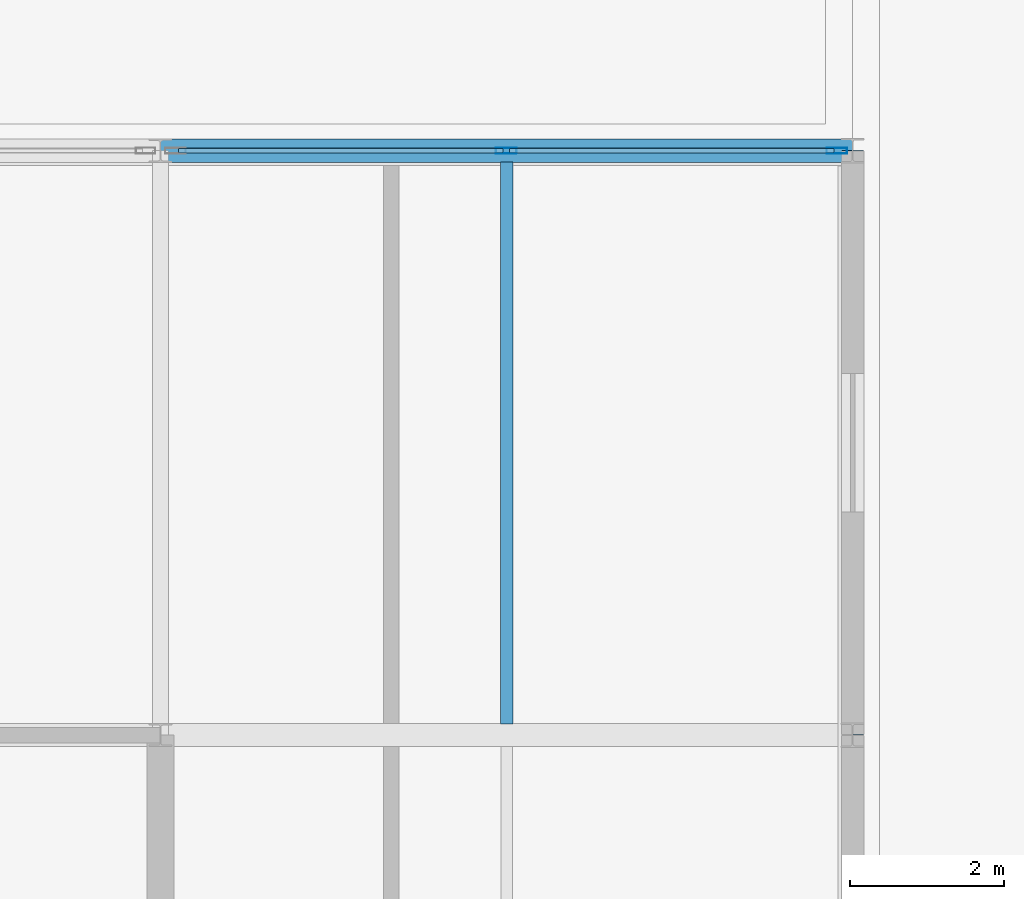
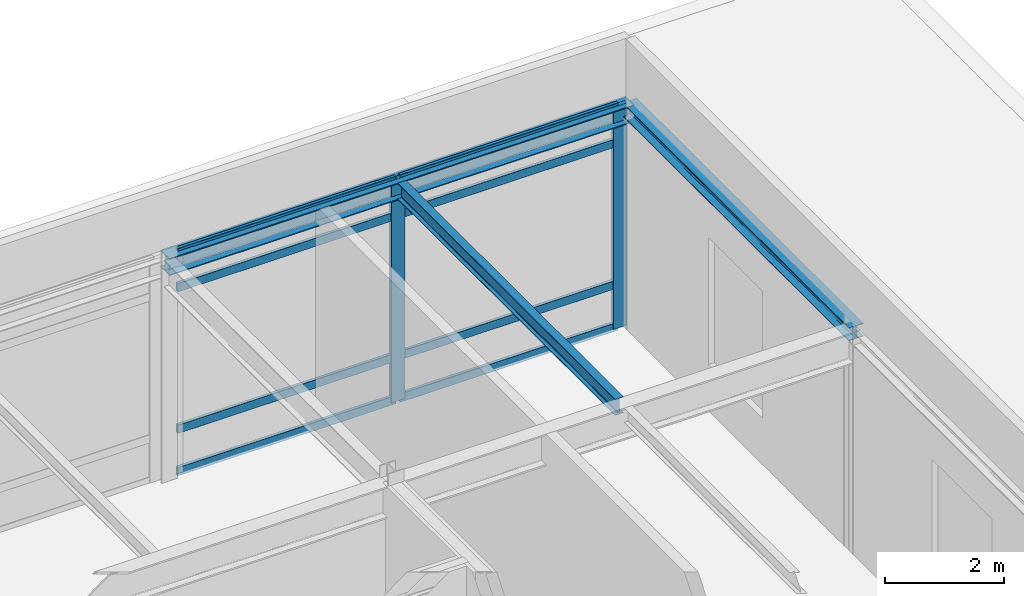
# One storey, part 29 of 43: 10 members, 3 beams, 1 element without a shape of its own.
"""IFC4 building model written with IfcOpenShell, lengths in metres."""

from ifc_helpers import new_model, si_unit, direction, frame, origin, origin_2d, place, context, subcontext, project, spatial, hollow_rectangle, i_section, extrude, material, layer, layer_set, material_profile, profile_set, type_object, element, aggregate, save


model = new_model("IFC4")

# Units and contexts
model_context = context("Model", 3, precision=1e-05, world=origin(), true_north=direction((0.0, 1.0)))
body_context = subcontext(model_context, "Body", "Model", "MODEL_VIEW")
ifc_project = project(units=[si_unit("LENGTHUNIT", "METRE"), si_unit("AREAUNIT", "SQUARE_METRE"), si_unit("VOLUMEUNIT", "CUBIC_METRE"), si_unit("PLANEANGLEUNIT", "RADIAN"), si_unit("MASSUNIT", "GRAM", prefix="KILO")], contexts=[model_context])

# Site, building, storey
site_placement = place(None, origin())
site = spatial("IfcSite", under=ifc_project, at=site_placement, CompositionType="ELEMENT")
building_placement = place(site_placement, origin())
building = spatial("IfcBuilding", under=site, at=building_placement, Name="Shalkamar Park Central Library", CompositionType="ELEMENT")
storey_placement = place(building_placement, frame((0.0, 0.0, 15.60009765625)))
storey = spatial("IfcBuildingStorey", under=building, at=storey_placement, Name="L04", CompositionType="ELEMENT", Elevation=15.60009765625)

# Beam
ifc_material_1 = material(Name="Steel S355", Category="steel")
ifc_material_profile_1 = material_profile(ifc_material_1, i_section(OverallWidth=0.159912109375, OverallDepth=0.330078125, WebThickness=0.007568359375, FlangeThickness=0.011474609375, FilletRadius=0.01806640625, at=origin_2d()), Name="IPE 330")
ifc_profile_set_1 = profile_set([ifc_material_profile_1], Name="Steel S355")
beam_type_1 = type_object("IfcBeamType", Name="Composite Floor Joist IPE330", PredefinedType="JOIST", material=ifc_profile_set_1)
beam_1_placement = place(storey_placement, frame((259.5, 308.548095703125, 4.385009765625), z_axis=(0.0, 1.0, 0.0), x_axis=(-1.0, 0.0, 0.0)))
element("IfcBeam", 1, at=beam_1_placement, inside=storey, type_object=beam_type_1, Name="Composite Joist 18/K-1 (L04)", PredefinedType="JOIST", context=body_context, shape_type="SweptSolid", body=[
    extrude(i_section(OverallWidth=0.159912109375, OverallDepth=0.330078125, WebThickness=0.007568359375, FlangeThickness=0.011474609375, FilletRadius=0.01806640625, at=origin_2d()), origin(), (0.0, 0.0, 1.0), 7.303955078125),
])

# Curtain wall, members
ifc_material_2 = material(Name="Thermally broken aluminium and triple low-e curtain wall", Category="aluminium")
ifc_layer = layer(ifc_material_2, 0.27001953125)
ifc_layer_set = layer_set([ifc_layer], Name="UnitisedCurtainWall_62")
curtain_wall_type = type_object("IfcCurtainWallType", Name="Unitised Curtain Wall 62", PredefinedType="USERDEFINED", material=ifc_layer_set)
curtain_wall_placement = place(storey_placement, origin())
curtain_wall = element("IfcCurtainWall", 2, at=curtain_wall_placement, inside=storey, type_object=curtain_wall_type, Name="Unitised Curtain Wall CW-L04-077", ObjectType="UNITISED CURTAIN WALL", PredefinedType="USERDEFINED")
ifc_material_3 = material(Name="Aluminium 6060-T66", Category="aluminium")
ifc_material_profile_2 = material_profile(ifc_material_3, hollow_rectangle(XDim=0.080078125, YDim=0.27001953125, WallThickness=0.0048828125, InnerFilletRadius=0.0048828125, OuterFilletRadius=0.007568359375, at=origin_2d()), Name="ALU 80x270x5")
ifc_profile_set_2 = profile_set([ifc_material_profile_2], Name="Aluminium 6060-T66")
member_type_1 = type_object("IfcMemberType", Name="Curtain Wall Mullion ALU80x270", PredefinedType="MULLION", material=ifc_profile_set_2)
member_1_placement = place(storey_placement, frame((259.4951171875, 316.0, 0.0), z_axis=(0.0, 0.0, 1.0), x_axis=(0.0, 1.0, 0.0)))
member_1 = element("IfcMember", 3, at=member_1_placement, type_object=member_type_1, Name="CW-62 mullion 2", PredefinedType="MULLION", context=body_context, shape_type="SweptSolid", body=[
    extrude(hollow_rectangle(XDim=0.080078125, YDim=0.27001953125, WallThickness=0.0048828125, InnerFilletRadius=0.0048828125, OuterFilletRadius=0.007568359375, at=origin_2d()), origin(), (0.0, 0.0, 1.0), 4.5498046875),
])
member_2_placement = place(storey_placement, frame((263.7958984375, 316.0, 0.0), z_axis=(0.0, 0.0, 1.0), x_axis=(0.0, 1.0, 0.0)))
member_2 = element("IfcMember", 4, at=member_2_placement, type_object=member_type_1, Name="CW-62 mullion 3", PredefinedType="MULLION", context=body_context, shape_type="SweptSolid", body=[
    extrude(hollow_rectangle(XDim=0.080078125, YDim=0.27001953125, WallThickness=0.0048828125, InnerFilletRadius=0.0048828125, OuterFilletRadius=0.007568359375, at=origin_2d()), origin(), (0.0, 0.0, 1.0), 4.5498046875),
])
ifc_material_profile_3 = material_profile(ifc_material_3, hollow_rectangle(XDim=0.06494140625, YDim=0.175048828125, WallThickness=0.00439453125, InnerFilletRadius=0.00439453125, OuterFilletRadius=0.0068359375, at=origin_2d()), Name="ALU 65x175x4.5")
ifc_profile_set_3 = profile_set([ifc_material_profile_3], Name="Aluminium 6060-T66")
member_type_2 = type_object("IfcMemberType", Name="Curtain Wall Transom ALU65x175", PredefinedType="USERDEFINED", material=ifc_profile_set_3)
member_3_placement = place(storey_placement, frame((255.23388671875, 316.0, 0.032470703125), z_axis=(1.0, 0.0, 0.0), x_axis=(0.0, 1.0, 0.0)))
member_3 = element("IfcMember", 5, at=member_3_placement, type_object=member_type_2, Name="CW-62 transom 1.1", ObjectType="TRANSOM", PredefinedType="USERDEFINED", context=body_context, shape_type="SweptSolid", body=[
    extrude(hollow_rectangle(XDim=0.06494140625, YDim=0.175048828125, WallThickness=0.00439453125, InnerFilletRadius=0.00439453125, OuterFilletRadius=0.0068359375, at=origin_2d()), origin(), (0.0, 0.0, 1.0), 4.22119140625),
])
member_4_placement = place(storey_placement, frame((255.23388671875, 316.0, 0.89990234375), z_axis=(1.0, 0.0, 0.0), x_axis=(0.0, 1.0, 0.0)))
member_4 = element("IfcMember", 6, at=member_4_placement, type_object=member_type_2, Name="CW-62 transom 1.2", ObjectType="TRANSOM", PredefinedType="USERDEFINED", context=body_context, shape_type="SweptSolid", body=[
    extrude(hollow_rectangle(XDim=0.06494140625, YDim=0.175048828125, WallThickness=0.00439453125, InnerFilletRadius=0.00439453125, OuterFilletRadius=0.0068359375, at=origin_2d()), origin(), (0.0, 0.0, 1.0), 4.22119140625),
])
member_5_placement = place(storey_placement, frame((255.23388671875, 316.0, 3.7998046875), z_axis=(1.0, 0.0, 0.0), x_axis=(0.0, 1.0, 0.0)))
member_5 = element("IfcMember", 7, at=member_5_placement, type_object=member_type_2, Name="CW-62 transom 1.3", ObjectType="TRANSOM", PredefinedType="USERDEFINED", context=body_context, shape_type="SweptSolid", body=[
    extrude(hollow_rectangle(XDim=0.06494140625, YDim=0.175048828125, WallThickness=0.00439453125, InnerFilletRadius=0.00439453125, OuterFilletRadius=0.0068359375, at=origin_2d()), origin(), (0.0, 0.0, 1.0), 4.22119140625),
])
member_6_placement = place(storey_placement, frame((255.23388671875, 316.0, 4.517333984375), z_axis=(1.0, 0.0, 0.0), x_axis=(0.0, 1.0, 0.0)))
member_6 = element("IfcMember", 8, at=member_6_placement, type_object=member_type_2, Name="CW-62 transom 1.4", ObjectType="TRANSOM", PredefinedType="USERDEFINED", context=body_context, shape_type="SweptSolid", body=[
    extrude(hollow_rectangle(XDim=0.06494140625, YDim=0.175048828125, WallThickness=0.00439453125, InnerFilletRadius=0.00439453125, OuterFilletRadius=0.0068359375, at=origin_2d()), origin(), (0.0, 0.0, 1.0), 4.22119140625),
])
member_7_placement = place(storey_placement, frame((259.534912109375, 316.0, 0.032470703125), z_axis=(1.0, 0.0, 0.0), x_axis=(0.0, 1.0, 0.0)))
member_7 = element("IfcMember", 9, at=member_7_placement, type_object=member_type_2, Name="CW-62 transom 2.1", ObjectType="TRANSOM", PredefinedType="USERDEFINED", context=body_context, shape_type="SweptSolid", body=[
    extrude(hollow_rectangle(XDim=0.06494140625, YDim=0.175048828125, WallThickness=0.00439453125, InnerFilletRadius=0.00439453125, OuterFilletRadius=0.0068359375, at=origin_2d()), origin(), (0.0, 0.0, 1.0), 4.22119140625),
])
member_8_placement = place(storey_placement, frame((259.534912109375, 316.0, 0.89990234375), z_axis=(1.0, 0.0, 0.0), x_axis=(0.0, 1.0, 0.0)))
member_8 = element("IfcMember", 10, at=member_8_placement, type_object=member_type_2, Name="CW-62 transom 2.2", ObjectType="TRANSOM", PredefinedType="USERDEFINED", context=body_context, shape_type="SweptSolid", body=[
    extrude(hollow_rectangle(XDim=0.06494140625, YDim=0.175048828125, WallThickness=0.00439453125, InnerFilletRadius=0.00439453125, OuterFilletRadius=0.0068359375, at=origin_2d()), origin(), (0.0, 0.0, 1.0), 4.22119140625),
])
member_9_placement = place(storey_placement, frame((259.534912109375, 316.0, 3.7998046875), z_axis=(1.0, 0.0, 0.0), x_axis=(0.0, 1.0, 0.0)))
member_9 = element("IfcMember", 11, at=member_9_placement, type_object=member_type_2, Name="CW-62 transom 2.3", ObjectType="TRANSOM", PredefinedType="USERDEFINED", context=body_context, shape_type="SweptSolid", body=[
    extrude(hollow_rectangle(XDim=0.06494140625, YDim=0.175048828125, WallThickness=0.00439453125, InnerFilletRadius=0.00439453125, OuterFilletRadius=0.0068359375, at=origin_2d()), origin(), (0.0, 0.0, 1.0), 4.22119140625),
])
member_10_placement = place(storey_placement, frame((259.534912109375, 316.0, 4.517333984375), z_axis=(1.0, 0.0, 0.0), x_axis=(0.0, 1.0, 0.0)))
member_10 = element("IfcMember", 12, at=member_10_placement, type_object=member_type_2, Name="CW-62 transom 2.4", ObjectType="TRANSOM", PredefinedType="USERDEFINED", context=body_context, shape_type="SweptSolid", body=[
    extrude(hollow_rectangle(XDim=0.06494140625, YDim=0.175048828125, WallThickness=0.00439453125, InnerFilletRadius=0.00439453125, OuterFilletRadius=0.0068359375, at=origin_2d()), origin(), (0.0, 0.0, 1.0), 4.22119140625),
])
aggregate(curtain_wall, [member_1, member_2, member_3, member_4, member_5, member_6, member_7, member_8, member_9, member_10])

# Beams
ifc_material_profile_4 = material_profile(ifc_material_1, i_section(OverallWidth=0.280029296875, OverallDepth=0.27001953125, WebThickness=0.008056640625, FlangeThickness=0.012939453125, FilletRadius=0.02392578125, at=origin_2d()), Name="HEA 280")
ifc_profile_set_4 = profile_set([ifc_material_profile_4], Name="Steel S355")
beam_type_2 = type_object("IfcBeamType", Name="Perimeter Spandrel Beam HEA280", PredefinedType="SPANDREL", material=ifc_profile_set_4)
beam_2_placement = place(storey_placement, frame((264.0, 308.39990234375, 4.414794921875), z_axis=(0.0, 1.0, 0.0), x_axis=(-1.0, 0.0, 0.0)))
element("IfcBeam", 13, at=beam_2_placement, inside=storey, type_object=beam_type_2, Name="Beam 19:K-L (L04)", PredefinedType="SPANDREL", context=body_context, shape_type="SweptSolid", body=[
    extrude(i_section(OverallWidth=0.280029296875, OverallDepth=0.27001953125, WebThickness=0.008056640625, FlangeThickness=0.012939453125, FilletRadius=0.02392578125, at=origin_2d()), origin(), (0.0, 0.0, 1.0), 7.60009765625),
])
ifc_material_profile_5 = material_profile(ifc_material_1, i_section(OverallWidth=0.300048828125, OverallDepth=0.35009765625, WebThickness=0.010009765625, FlangeThickness=0.017578125, FilletRadius=0.027099609375, at=origin_2d()), Name="HEA 360")
ifc_profile_set_5 = profile_set([ifc_material_profile_5], Name="Steel S355")
beam_type_3 = type_object("IfcBeamType", Name="Perimeter Spandrel Beam HEA360", PredefinedType="SPANDREL", material=ifc_profile_set_5)
beam_3_placement = place(storey_placement, frame((255.0, 316.0, 4.375), z_axis=(1.0, 0.0, 0.0), x_axis=(0.0, 1.0, 0.0)))
element("IfcBeam", 14, at=beam_3_placement, inside=storey, type_object=beam_type_3, Name="Beam L:18-19 (L04)", PredefinedType="SPANDREL", context=body_context, shape_type="SweptSolid", body=[
    extrude(i_section(OverallWidth=0.300048828125, OverallDepth=0.35009765625, WebThickness=0.010009765625, FlangeThickness=0.017578125, FilletRadius=0.027099609375, at=origin_2d()), origin(), (0.0, 0.0, 1.0), 9.0),
])

save(model, "model.ifc")
